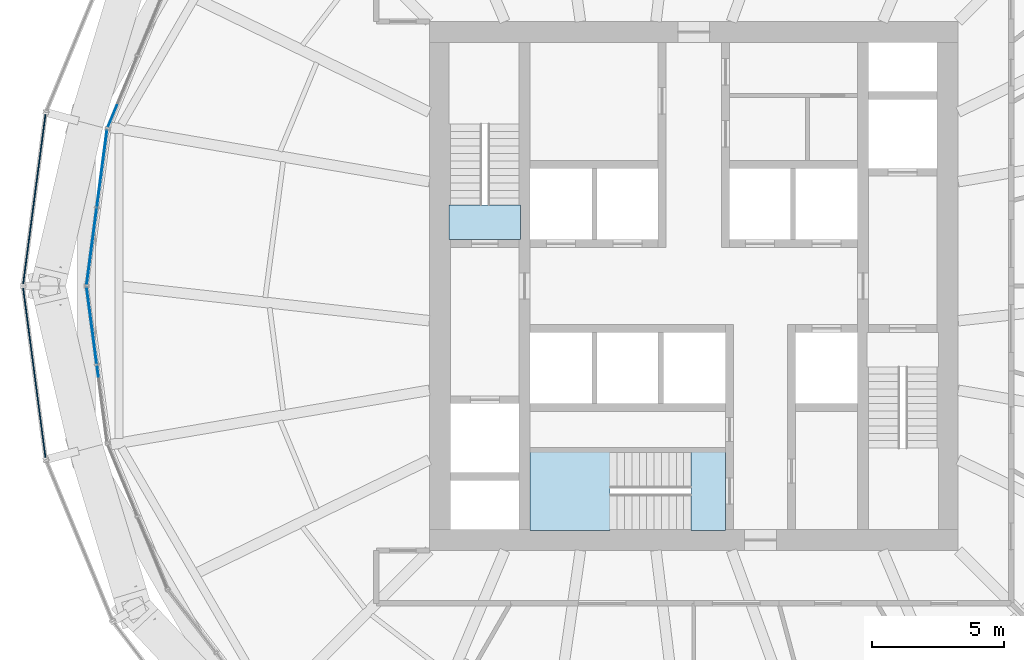
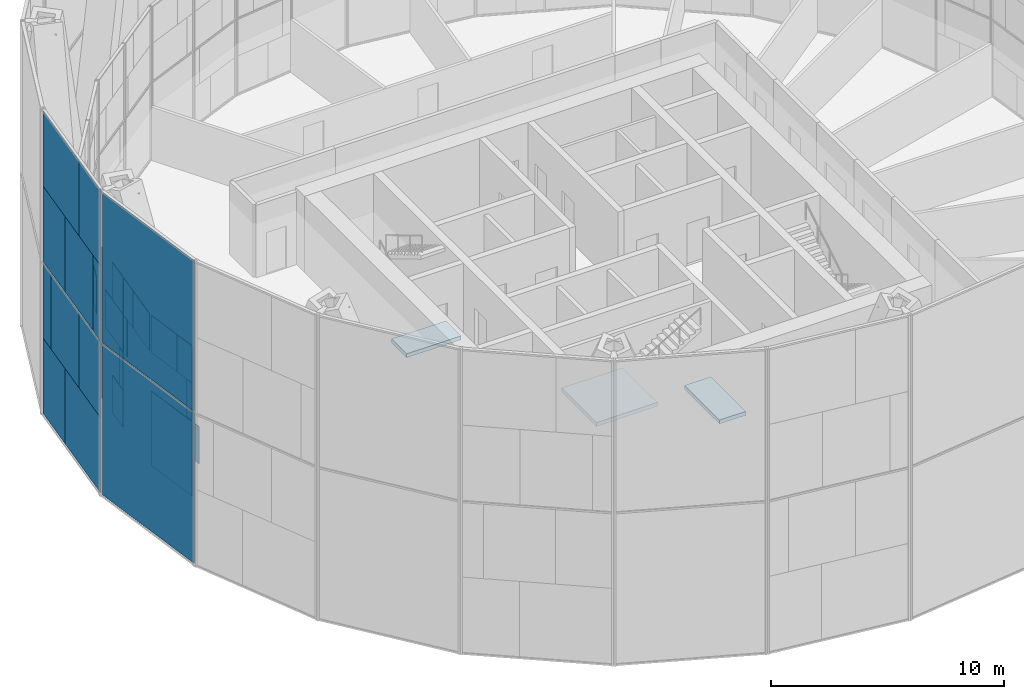
# One storey, part 12 of 22: 32 plates, 3 slabs, 6 elements without a shape of their own.
"""IFC4 building model written with IfcOpenShell, lengths in metres."""

from ifc_helpers import new_model, si_unit, direction, frame, origin, origin_2d, place, context, subcontext, project, spatial, polyline, rectangle, outline, extrude, material, layer, layer_set, type_object, element, aggregate, save


model = new_model("IFC4")

# Units and contexts
model_context = context("Model", 3, precision=1e-05, world=origin(), true_north=direction((0.0, 1.0)))
body_context = subcontext(model_context, "Body", "Model", "MODEL_VIEW")
ifc_project = project(units=[si_unit("LENGTHUNIT", "METRE"), si_unit("AREAUNIT", "SQUARE_METRE"), si_unit("VOLUMEUNIT", "CUBIC_METRE"), si_unit("PLANEANGLEUNIT", "RADIAN"), si_unit("MASSUNIT", "GRAM", prefix="KILO")], contexts=[model_context])

# Site, building, storey
site_placement = place(None, origin())
site = spatial("IfcSite", under=ifc_project, at=site_placement, CompositionType="ELEMENT")
building_placement = place(site_placement, origin())
building = spatial("IfcBuilding", under=site, at=building_placement, Name="Golbaran Civic Tower", CompositionType="ELEMENT")
storey_placement = place(building_placement, frame((0.0, 0.0, 37.0)))
storey = spatial("IfcBuildingStorey", under=building, at=storey_placement, Name="L08", CompositionType="ELEMENT", Elevation=37.0)

# Curtain wall, plate
ifc_material_1 = material(Name="Aluminium and glass", Category="aluminium")
curtain_wall_type_1 = type_object("IfcCurtainWallType", Name="INNER SKIN CURTAIN WALL", PredefinedType="NOTDEFINED", material=ifc_material_1)
curtain_wall_1_placement = place(storey_placement, origin())
curtain_wall_1 = element("IfcCurtainWall", 1, at=curtain_wall_1_placement, inside=storey, type_object=curtain_wall_type_1, Name="Inner skin L08 facet 11 CW1", ObjectType="INNER SKIN", PredefinedType="USERDEFINED")
ifc_material_2 = material(Name="Clear insulating glass", Category="glass")
ifc_layer_1 = layer(ifc_material_2, 0.031982421875, Name="Clear insulating glass")
ifc_layer_set_1 = layer_set([ifc_layer_1], Name="Clear insulating glass")
plate_type_1 = type_object("IfcPlateType", Name="INNER SKIN CURTAIN WALL GLAZED PANEL", PredefinedType="CURTAIN_PANEL", material=ifc_layer_set_1)
plate_1_placement = place(storey_placement, frame((-21.981689453125, 6.418212890625, 4.032470703125), z_axis=(0.0, 0.0, 1.0), x_axis=(-0.382683432365, -0.923879532511, 0.0)))
plate_1 = element("IfcPlate", 2, at=plate_1_placement, type_object=plate_type_1, Name="CW1 panel 2.2 part 2", PredefinedType="CURTAIN_PANEL", context=body_context, shape_type="SweptSolid", body=[
    extrude(rectangle(XDim=0.8994140625, YDim=0.031982421875, at=origin_2d()), origin(), (0.0, 0.0, 1.0), 1.951171875),
])
aggregate(curtain_wall_1, [plate_1])

# Curtain wall, plates
curtain_wall_2_placement = place(storey_placement, origin())
curtain_wall_2 = element("IfcCurtainWall", 3, at=curtain_wall_2_placement, inside=storey, type_object=curtain_wall_type_1, Name="Inner skin L08 facet 12 CW1", ObjectType="INNER SKIN", PredefinedType="USERDEFINED")
plate_2_placement = place(storey_placement, frame((-22.4873046875, 3.59814453125, 0.06494140625), z_axis=(0.0, 0.0, 1.0), x_axis=(-0.130526192289, -0.991444861365, 0.0)))
plate_2 = element("IfcPlate", 4, at=plate_2_placement, type_object=plate_type_1, Name="CW1 panel 1.1 part 2", PredefinedType="CURTAIN_PANEL", context=body_context, shape_type="SweptSolid", body=[
    extrude(rectangle(XDim=1.199462890625, YDim=0.031982421875, at=origin_2d()), origin(), (0.0, 0.0, 1.0), 1.951171875),
])
plate_3_placement = place(storey_placement, frame((-22.537353515625, 3.218017578125, 2.016357421875), z_axis=(0.0, 0.0, 1.0), x_axis=(-0.130526192289, -0.991444861365, 0.0)))
plate_3 = element("IfcPlate", 5, at=plate_3_placement, type_object=plate_type_1, Name="CW1 panel 1.1 part 4", PredefinedType="CURTAIN_PANEL", context=body_context, shape_type="SweptSolid", body=[
    extrude(rectangle(XDim=0.4326171875, YDim=0.031982421875, at=origin_2d()), origin(), (0.0, 0.0, 1.0), 1.951171875),
])
plate_4_placement = place(storey_placement, frame((-22.245849609375, 5.43212890625, 4.032470703125), z_axis=(0.0, 0.0, 1.0), x_axis=(-0.130526192289, -0.991444861365, 0.0)))
plate_4 = element("IfcPlate", 6, at=plate_4_placement, type_object=plate_type_1, Name="CW1 panel 1.2 part 1", PredefinedType="CURTAIN_PANEL", context=body_context, shape_type="SweptSolid", body=[
    extrude(rectangle(XDim=0.89990234375, YDim=0.031982421875, at=origin_2d()), origin(), (0.0, 0.0, 1.0), 1.951171875),
])
plate_5_placement = place(storey_placement, frame((-22.29638671875, 5.0478515625, 5.98388671875), z_axis=(0.0, 0.0, 1.0), x_axis=(-0.130526192289, -0.991444861365, 0.0)))
plate_5 = element("IfcPlate", 7, at=plate_5_placement, type_object=plate_type_1, Name="CW1 panel 1.2 part 3", PredefinedType="CURTAIN_PANEL", context=body_context, shape_type="SweptSolid", body=[
    extrude(rectangle(XDim=1.675048828125, YDim=0.031982421875, at=origin_2d()), origin(), (0.0, 0.0, 1.0), 1.951171875),
])
plate_6_placement = place(storey_placement, frame((-22.76318359375, 1.501708984375, 0.06494140625), z_axis=(0.0, 0.0, 1.0), x_axis=(-0.130526192289, -0.991444861365, 0.0)))
plate_6 = element("IfcPlate", 8, at=plate_6_placement, type_object=plate_type_1, Name="CW1 panel 2.1", PredefinedType="CURTAIN_PANEL", context=body_context, shape_type="SweptSolid", body=[
    extrude(rectangle(XDim=2.8994140625, YDim=0.031982421875, at=origin_2d()), origin(), (0.0, 0.0, 1.0), 3.902587890625),
])
plate_7_placement = place(storey_placement, frame((-22.78955078125, 1.302978515625, 4.032470703125), z_axis=(0.0, 0.0, 1.0), x_axis=(-0.130526192289, -0.991444861365, 0.0)))
plate_7 = element("IfcPlate", 9, at=plate_7_placement, type_object=plate_type_1, Name="CW1 panel 2.2 part 2", PredefinedType="CURTAIN_PANEL", context=body_context, shape_type="SweptSolid", body=[
    extrude(rectangle(XDim=2.49853515625, YDim=0.031982421875, at=origin_2d()), origin(), (0.0, 0.0, 1.0), 1.951171875),
])
plate_8_placement = place(storey_placement, frame((-22.832763671875, 0.974853515625, 5.98388671875), z_axis=(0.0, 0.0, 1.0), x_axis=(-0.130526192289, -0.991444861365, 0.0)))
plate_8 = element("IfcPlate", 10, at=plate_8_placement, type_object=plate_type_1, Name="CW1 panel 2.2 part 4", PredefinedType="CURTAIN_PANEL", context=body_context, shape_type="SweptSolid", body=[
    extrude(rectangle(XDim=1.83642578125, YDim=0.031982421875, at=origin_2d()), origin(), (0.0, 0.0, 1.0), 1.951171875),
])

curtain_wall_3_placement = place(storey_placement, origin())
curtain_wall_3 = element("IfcCurtainWall", 11, at=curtain_wall_3_placement, inside=storey, type_object=curtain_wall_type_1, Name="Inner skin L08 facet 13 CW1", ObjectType="INNER SKIN", PredefinedType="USERDEFINED")
plate_9_placement = place(storey_placement, frame((-22.76318359375, -1.501708984375, 0.06494140625), z_axis=(0.0, 0.0, 1.0), x_axis=(0.130526192289, -0.991444861365, 0.0)))
plate_9 = element("IfcPlate", 12, at=plate_9_placement, type_object=plate_type_1, Name="CW1 panel 1.1", PredefinedType="CURTAIN_PANEL", context=body_context, shape_type="SweptSolid", body=[
    extrude(rectangle(XDim=2.8994140625, YDim=0.031982421875, at=origin_2d()), origin(), (0.0, 0.0, 1.0), 3.902587890625),
])
plate_10_placement = place(storey_placement, frame((-22.78955078125, -1.302734375, 4.032470703125), z_axis=(0.0, 0.0, 1.0), x_axis=(0.130526192289, -0.991444861365, 0.0)))
plate_10 = element("IfcPlate", 13, at=plate_10_placement, type_object=plate_type_1, Name="CW1 panel 1.2 part 1", PredefinedType="CURTAIN_PANEL", context=body_context, shape_type="SweptSolid", body=[
    extrude(rectangle(XDim=2.498046875, YDim=0.031982421875, at=origin_2d()), origin(), (0.0, 0.0, 1.0), 1.951171875),
])
plate_11_placement = place(storey_placement, frame((-22.83251953125, -0.97509765625, 5.98388671875), z_axis=(0.0, 0.0, 1.0), x_axis=(0.130526192289, -0.991444861365, 0.0)))
plate_11 = element("IfcPlate", 14, at=plate_11_placement, type_object=plate_type_1, Name="CW1 panel 1.2 part 3", PredefinedType="CURTAIN_PANEL", context=body_context, shape_type="SweptSolid", body=[
    extrude(rectangle(XDim=1.8369140625, YDim=0.031982421875, at=origin_2d()), origin(), (0.0, 0.0, 1.0), 1.951171875),
])
plate_12_placement = place(storey_placement, frame((-22.537353515625, -3.2177734375, 2.016357421875), z_axis=(0.0, 0.0, 1.0), x_axis=(0.130526192289, -0.991444861365, 0.0)))
plate_12 = element("IfcPlate", 15, at=plate_12_placement, type_object=plate_type_1, Name="CW1 panel 2.1 part 3", PredefinedType="CURTAIN_PANEL", context=body_context, shape_type="SweptSolid", body=[
    extrude(rectangle(XDim=0.431884765625, YDim=0.031982421875, at=origin_2d()), origin(), (0.0, 0.0, 1.0), 1.951171875),
])

# Plate
ifc_material_3 = material(Name="Aluminium faced opaque infill panel", Category="aluminium")
ifc_layer_2 = layer(ifc_material_3, 0.031982421875, Name="Aluminium faced opaque infill panel")
ifc_layer_set_2 = layer_set([ifc_layer_2], Name="Aluminium faced opaque infill panel")
plate_type_2 = type_object("IfcPlateType", Name="INNER SKIN CURTAIN WALL OPAQUE INFILL PANEL", PredefinedType="CURTAIN_PANEL", material=ifc_layer_set_2)
plate_13_placement = place(storey_placement, frame((-22.298095703125, 5.03564453125, 0.06494140625), z_axis=(0.0, 0.0, 1.0), x_axis=(-0.130526192289, -0.991444861365, 0.0)))
plate_13 = element("IfcPlate", 16, at=plate_13_placement, type_object=plate_type_2, Name="CW1 infill panel 1.1 part 1", PredefinedType="CURTAIN_PANEL", context=body_context, shape_type="SweptSolid", body=[
    extrude(rectangle(XDim=1.699951171875, YDim=0.031982421875, at=origin_2d()), origin(), (0.0, 0.0, 1.0), 1.951171875),
])

plate_14_placement = place(storey_placement, frame((-22.34814453125, 4.6552734375, 2.016357421875), z_axis=(0.0, 0.0, 1.0), x_axis=(-0.130526192289, -0.991444861365, 0.0)))
plate_14 = element("IfcPlate", 17, at=plate_14_placement, type_object=plate_type_2, Name="CW1 infill panel 1.1 part 3", PredefinedType="CURTAIN_PANEL", context=body_context, shape_type="SweptSolid", body=[
    extrude(rectangle(XDim=2.467041015625, YDim=0.031982421875, at=origin_2d()), origin(), (0.0, 0.0, 1.0), 1.951171875),
])

plate_15_placement = place(storey_placement, frame((-22.43505859375, 3.994873046875, 4.032470703125), z_axis=(0.0, 0.0, 1.0), x_axis=(-0.130526192289, -0.991444861365, 0.0)))
plate_15 = element("IfcPlate", 18, at=plate_15_placement, type_object=plate_type_2, Name="CW1 infill panel 1.2 part 2", PredefinedType="CURTAIN_PANEL", context=body_context, shape_type="SweptSolid", body=[
    extrude(rectangle(XDim=1.99951171875, YDim=0.031982421875, at=origin_2d()), origin(), (0.0, 0.0, 1.0), 1.951171875),
])

plate_16_placement = place(storey_placement, frame((-22.485595703125, 3.610595703125, 5.98388671875), z_axis=(0.0, 0.0, 1.0), x_axis=(-0.130526192289, -0.991444861365, 0.0)))
plate_16 = element("IfcPlate", 19, at=plate_16_placement, type_object=plate_type_2, Name="CW1 infill panel 1.2 part 4", PredefinedType="CURTAIN_PANEL", context=body_context, shape_type="SweptSolid", body=[
    extrude(rectangle(XDim=1.224609375, YDim=0.031982421875, at=origin_2d()), origin(), (0.0, 0.0, 1.0), 1.951171875),
])

plate_17_placement = place(storey_placement, frame((-22.600341796875, 2.740478515625, 4.032470703125), z_axis=(0.0, 0.0, 1.0), x_axis=(-0.130526192289, -0.991444861365, 0.0)))
plate_17 = element("IfcPlate", 20, at=plate_17_placement, type_object=plate_type_2, Name="CW1 infill panel 2.2 part 1", PredefinedType="CURTAIN_PANEL", context=body_context, shape_type="SweptSolid", body=[
    extrude(rectangle(XDim=0.40087890625, YDim=0.031982421875, at=origin_2d()), origin(), (0.0, 0.0, 1.0), 1.951171875),
])

plate_18_placement = place(storey_placement, frame((-22.643310546875, 2.412109375, 5.98388671875), z_axis=(0.0, 0.0, 1.0), x_axis=(-0.130526192289, -0.991444861365, 0.0)))
plate_18 = element("IfcPlate", 21, at=plate_18_placement, type_object=plate_type_2, Name="CW1 infill panel 2.2 part 3", PredefinedType="CURTAIN_PANEL", context=body_context, shape_type="SweptSolid", body=[
    extrude(rectangle(XDim=1.06298828125, YDim=0.031982421875, at=origin_2d()), origin(), (0.0, 0.0, 1.0), 1.951171875),
])

aggregate(curtain_wall_2, [plate_13, plate_2, plate_14, plate_3, plate_4, plate_15, plate_5, plate_16, plate_6, plate_17, plate_7, plate_18, plate_8])

plate_19_placement = place(storey_placement, frame((-22.600341796875, -2.739990234375, 4.032470703125), z_axis=(0.0, 0.0, 1.0), x_axis=(0.130526192289, -0.991444861365, 0.0)))
plate_19 = element("IfcPlate", 22, at=plate_19_placement, type_object=plate_type_2, Name="CW1 infill panel 1.2 part 2", PredefinedType="CURTAIN_PANEL", context=body_context, shape_type="SweptSolid", body=[
    extrude(rectangle(XDim=0.401611328125, YDim=0.031982421875, at=origin_2d()), origin(), (0.0, 0.0, 1.0), 1.951171875),
])

plate_20_placement = place(storey_placement, frame((-22.643310546875, -2.412353515625, 5.98388671875), z_axis=(0.0, 0.0, 1.0), x_axis=(0.130526192289, -0.991444861365, 0.0)))
plate_20 = element("IfcPlate", 23, at=plate_20_placement, type_object=plate_type_2, Name="CW1 infill panel 1.2 part 4", PredefinedType="CURTAIN_PANEL", context=body_context, shape_type="SweptSolid", body=[
    extrude(rectangle(XDim=1.0625, YDim=0.031982421875, at=origin_2d()), origin(), (0.0, 0.0, 1.0), 1.951171875),
])

aggregate(curtain_wall_3, [plate_9, plate_10, plate_19, plate_11, plate_20, plate_12])

# Curtain wall, plates
curtain_wall_type_2 = type_object("IfcCurtainWallType", Name="OUTER SKIN TERRACOTTA SCREEN", PredefinedType="NOTDEFINED", material=ifc_material_1)
curtain_wall_4_placement = place(storey_placement, origin())
curtain_wall_4 = element("IfcCurtainWall", 24, at=curtain_wall_4_placement, inside=storey, type_object=curtain_wall_type_2, Name="Outer skin L08 facet 12 CW3", ObjectType="OUTER SKIN", PredefinedType="USERDEFINED")
ifc_material_4 = material(Name="Clear laminated glass", Category="glass")
ifc_layer_3 = layer(ifc_material_4, 0.0400390625, Name="Clear laminated glass")
ifc_layer_set_3 = layer_set([ifc_layer_3], Name="Clear laminated glass")
plate_type_3 = type_object("IfcPlateType", Name="OUTER SKIN CLEAR GLASS PANEL", PredefinedType="CURTAIN_PANEL", material=ifc_layer_set_3)
plate_21_placement = place(storey_placement, frame((-25.09423828125, 2.063720703125, -0.6298828125), z_axis=(0.0, 0.0, 1.0), x_axis=(-0.130526192168, -0.991444861381, 0.0)))
plate_21 = element("IfcPlate", 25, at=plate_21_placement, type_object=plate_type_3, Name="CW3 panel 1.1 part 2", PredefinedType="CURTAIN_PANEL", context=body_context, shape_type="SweptSolid", body=[
    extrude(rectangle(XDim=4.0029296875, YDim=0.0400390625, at=origin_2d()), origin(), (0.0, 0.0, 1.0), 3.93994140625),
])
plate_22_placement = place(storey_placement, frame((-24.5712890625, 6.036376953125, 3.31005859375), z_axis=(0.0, 0.0, 1.0), x_axis=(-0.130526192168, -0.991444861381, 0.0)))
plate_22 = element("IfcPlate", 26, at=plate_22_placement, type_object=plate_type_3, Name="CW3 panel 1.1 part 3", PredefinedType="CURTAIN_PANEL", context=body_context, shape_type="SweptSolid", body=[
    extrude(rectangle(XDim=0.906982421875, YDim=0.0400390625, at=origin_2d()), origin(), (0.0, 0.0, 1.0), 3.93994140625),
])
plate_23_placement = place(storey_placement, frame((-25.1962890625, 1.288330078125, 3.31005859375), z_axis=(0.0, 0.0, 1.0), x_axis=(-0.130526192168, -0.991444861381, 0.0)))
plate_23 = element("IfcPlate", 27, at=plate_23_placement, type_object=plate_type_3, Name="CW3 panel 1.1 part 5", PredefinedType="CURTAIN_PANEL", context=body_context, shape_type="SweptSolid", body=[
    extrude(rectangle(XDim=2.43896484375, YDim=0.0400390625, at=origin_2d()), origin(), (0.0, 0.0, 1.0), 3.93994140625),
])
plate_24_placement = place(storey_placement, frame((-24.674560546875, 5.25244140625, 7.330078125), z_axis=(0.0, 0.0, 1.0), x_axis=(-0.130526192168, -0.991444861381, 0.0)))
plate_24 = element("IfcPlate", 28, at=plate_24_placement, type_object=plate_type_3, Name="CW3 panel 1.2 part 1", PredefinedType="CURTAIN_PANEL", context=body_context, shape_type="SweptSolid", body=[
    extrude(rectangle(XDim=2.488037109375, YDim=0.0400390625, at=origin_2d()), origin(), (0.0, 0.0, 1.0), 3.93994140625),
])
plate_25_placement = place(storey_placement, frame((-25.300537109375, 0.49658203125, 7.330078125), z_axis=(0.0, 0.0, 1.0), x_axis=(-0.130526192168, -0.991444861381, 0.0)))
plate_25 = element("IfcPlate", 29, at=plate_25_placement, type_object=plate_type_3, Name="CW3 panel 1.2 part 3", PredefinedType="CURTAIN_PANEL", context=body_context, shape_type="SweptSolid", body=[
    extrude(rectangle(XDim=0.841796875, YDim=0.0400390625, at=origin_2d()), origin(), (0.0, 0.0, 1.0), 3.93994140625),
])
plate_26_placement = place(storey_placement, frame((-24.775634765625, 4.484619140625, 11.27001953125), z_axis=(0.0, 0.0, 1.0), x_axis=(-0.130526192168, -0.991444861381, 0.0)))
plate_26 = element("IfcPlate", 30, at=plate_26_placement, type_object=plate_type_3, Name="CW3 panel 1.2 part 4", PredefinedType="CURTAIN_PANEL", context=body_context, shape_type="SweptSolid", body=[
    extrude(rectangle(XDim=4.037109375, YDim=0.0400390625, at=origin_2d()), origin(), (0.0, 0.0, 1.0), 3.93994140625),
])
ifc_material_5 = material(Name="Terracotta baguette screen", Category="masonry")
ifc_layer_4 = layer(ifc_material_5, 0.0400390625, Name="Terracotta baguette screen")
ifc_layer_set_4 = layer_set([ifc_layer_4], Name="Terracotta baguette screen")
plate_type_4 = type_object("IfcPlateType", Name="OUTER SKIN TERRACOTTA INFILL PANEL", PredefinedType="CURTAIN_PANEL", material=ifc_layer_set_4)
plate_27_placement = place(storey_placement, frame((-24.672607421875, 5.266845703125, -0.6298828125), z_axis=(0.0, 0.0, 1.0), x_axis=(-0.130526192168, -0.991444861381, 0.0)))
plate_27 = element("IfcPlate", 31, at=plate_27_placement, type_object=plate_type_4, Name="CW3 infill panel 1.1 part 1", PredefinedType="CURTAIN_PANEL", context=body_context, shape_type="SweptSolid", body=[
    extrude(rectangle(XDim=2.458984375, YDim=0.0400390625, at=origin_2d()), origin(), (0.0, 0.0, 1.0), 3.93994140625),
])
plate_28_placement = place(storey_placement, frame((-24.833984375, 4.0419921875, 3.31005859375), z_axis=(0.0, 0.0, 1.0), x_axis=(-0.130526192168, -0.991444861381, 0.0)))
plate_28 = element("IfcPlate", 32, at=plate_28_placement, type_object=plate_type_4, Name="CW3 infill panel 1.1 part 4", PredefinedType="CURTAIN_PANEL", context=body_context, shape_type="SweptSolid", body=[
    extrude(rectangle(XDim=3.115966796875, YDim=0.0400390625, at=origin_2d()), origin(), (0.0, 0.0, 1.0), 3.93994140625),
])
plate_29_placement = place(storey_placement, frame((-25.041259765625, 2.466552734375, 7.330078125), z_axis=(0.0, 0.0, 1.0), x_axis=(-0.130526192168, -0.991444861381, 0.0)))
plate_29 = element("IfcPlate", 33, at=plate_29_placement, type_object=plate_type_4, Name="CW3 infill panel 1.2 part 2", PredefinedType="CURTAIN_PANEL", context=body_context, shape_type="SweptSolid", body=[
    extrude(rectangle(XDim=3.132080078125, YDim=0.0400390625, at=origin_2d()), origin(), (0.0, 0.0, 1.0), 3.93994140625),
])
plate_30_placement = place(storey_placement, frame((-25.197265625, 1.28125, 11.27001953125), z_axis=(0.0, 0.0, 1.0), x_axis=(-0.130526192168, -0.991444861381, 0.0)))
plate_30 = element("IfcPlate", 34, at=plate_30_placement, type_object=plate_type_4, Name="CW3 infill panel 1.2 part 5", PredefinedType="CURTAIN_PANEL", context=body_context, shape_type="SweptSolid", body=[
    extrude(rectangle(XDim=2.4248046875, YDim=0.0400390625, at=origin_2d()), origin(), (0.0, 0.0, 1.0), 3.93994140625),
])
aggregate(curtain_wall_4, [plate_27, plate_21, plate_22, plate_28, plate_23, plate_24, plate_29, plate_25, plate_26, plate_30])

curtain_wall_5_placement = place(storey_placement, origin())
curtain_wall_5 = element("IfcCurtainWall", 35, at=curtain_wall_5_placement, inside=storey, type_object=curtain_wall_type_2, Name="Outer skin L08 facet 13 CW3", ObjectType="OUTER SKIN", PredefinedType="USERDEFINED")
ifc_layer_5 = layer(ifc_material_5, 0.0400390625, Name="Terracotta baguette screen")
ifc_layer_set_5 = layer_set([ifc_layer_5], Name="Terracotta baguette screen")
plate_type_5 = type_object("IfcPlateType", Name="OUTER SKIN TERRACOTTA SCREEN PANEL", PredefinedType="CURTAIN_PANEL", material=ifc_layer_set_5)
plate_31_placement = place(storey_placement, frame((-24.933837890625, -3.28271484375, -0.6298828125), z_axis=(0.0, 0.0, 1.0), x_axis=(0.130526192168, -0.991444861381, 0.0)))
plate_31 = element("IfcPlate", 36, at=plate_31_placement, type_object=plate_type_5, Name="CW3 terracotta screen panel 1.1", PredefinedType="CURTAIN_PANEL", context=body_context, shape_type="SweptSolid", body=[
    extrude(rectangle(XDim=6.4619140625, YDim=0.0400390625, at=origin_2d()), origin(), (0.0, 0.0, 1.0), 7.8798828125),
])
plate_32_placement = place(storey_placement, frame((-24.933837890625, -3.28271484375, 7.330078125), z_axis=(0.0, 0.0, 1.0), x_axis=(0.130526192168, -0.991444861381, 0.0)))
plate_32 = element("IfcPlate", 37, at=plate_32_placement, type_object=plate_type_5, Name="CW3 terracotta screen panel 1.2", PredefinedType="CURTAIN_PANEL", context=body_context, shape_type="SweptSolid", body=[
    extrude(rectangle(XDim=6.4619140625, YDim=0.0400390625, at=origin_2d()), origin(), (0.0, 0.0, 1.0), 7.8798828125),
])
aggregate(curtain_wall_5, [plate_31, plate_32])

# Slab
ifc_material_6 = material(Name="Concrete C35/45", Category="concrete")
ifc_layer_6 = layer(ifc_material_6, 0.199951171875, Name="Concrete C35/45")
ifc_layer_set_6 = layer_set([ifc_layer_6], Name="Concrete C35/45")
slab_type = type_object("IfcSlabType", Name="STAIR LANDING 200", PredefinedType="LANDING", material=ifc_layer_set_6)
slab_1_placement = place(storey_placement, frame((0.0, 0.0, -0.199951171875)))
element("IfcSlab", 38, at=slab_1_placement, inside=storey, type_object=slab_type, Name="Stair S1 floor landing L08", PredefinedType="LANDING", context=body_context, shape_type="SweptSolid", body=[
    extrude(outline(polyline([(-9.25, 1.75), (-9.25, 3.054931640625), (-6.550048828125, 3.054931640625), (-6.550048828125, 1.75), (-9.25, 1.75)])), origin(), (0.0, 0.0, 1.0), 0.199951171875),
])

# Stair, slab
stair_type = type_object("IfcStairType", Name="EXIT STAIR 2900 x 7400, 4000 RISE", PredefinedType="HALF_TURN_STAIR", material=ifc_material_6)
stair_placement = place(storey_placement, origin())
stair = element("IfcStair", 39, at=stair_placement, inside=storey, type_object=stair_type, Name="Stair S3 L08", PredefinedType="HALF_TURN_STAIR")
slab_2_placement = place(storey_placement, frame((0.0, 0.0, 1.800048828125)))
slab_2 = element("IfcSlab", 40, at=slab_2_placement, type_object=slab_type, Name="ST29074-40 landing 1", PredefinedType="LANDING", context=body_context, shape_type="SweptSolid", body=[
    extrude(outline(polyline([(-3.175048828125, -9.25), (-6.199951171875, -9.25), (-6.199951171875, -6.25), (-3.175048828125, -6.25), (-3.175048828125, -9.25)])), origin(), (0.0, 0.0, 1.0), 0.199951171875),
])
aggregate(stair, [slab_2])

# Slab
slab_3_placement = place(storey_placement, frame((0.0, 0.0, -0.199951171875)))
element("IfcSlab", 41, at=slab_3_placement, inside=storey, type_object=slab_type, Name="Stair S3 floor landing L08", PredefinedType="LANDING", context=body_context, shape_type="SweptSolid", body=[
    extrude(outline(polyline([(1.199951171875, -9.25), (-0.10498046875, -9.25), (-0.10498046875, -6.25), (1.199951171875, -6.25), (1.199951171875, -9.25)])), origin(), (0.0, 0.0, 1.0), 0.199951171875),
])

save(model, "model.ifc")
